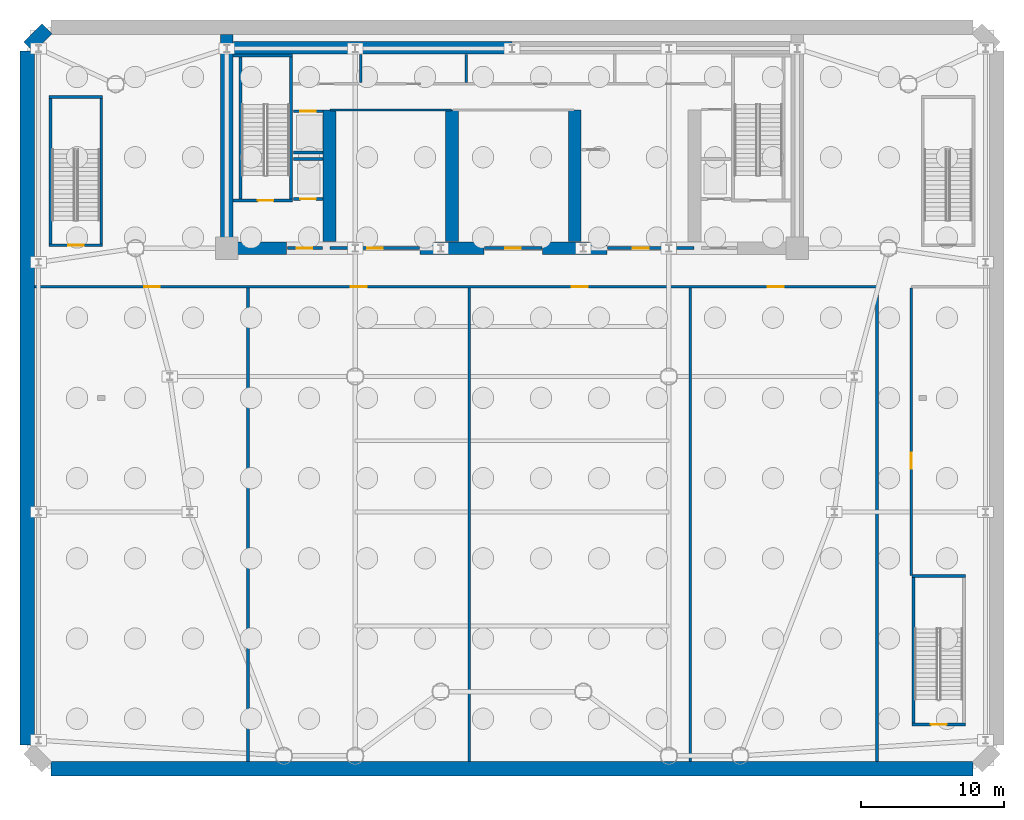
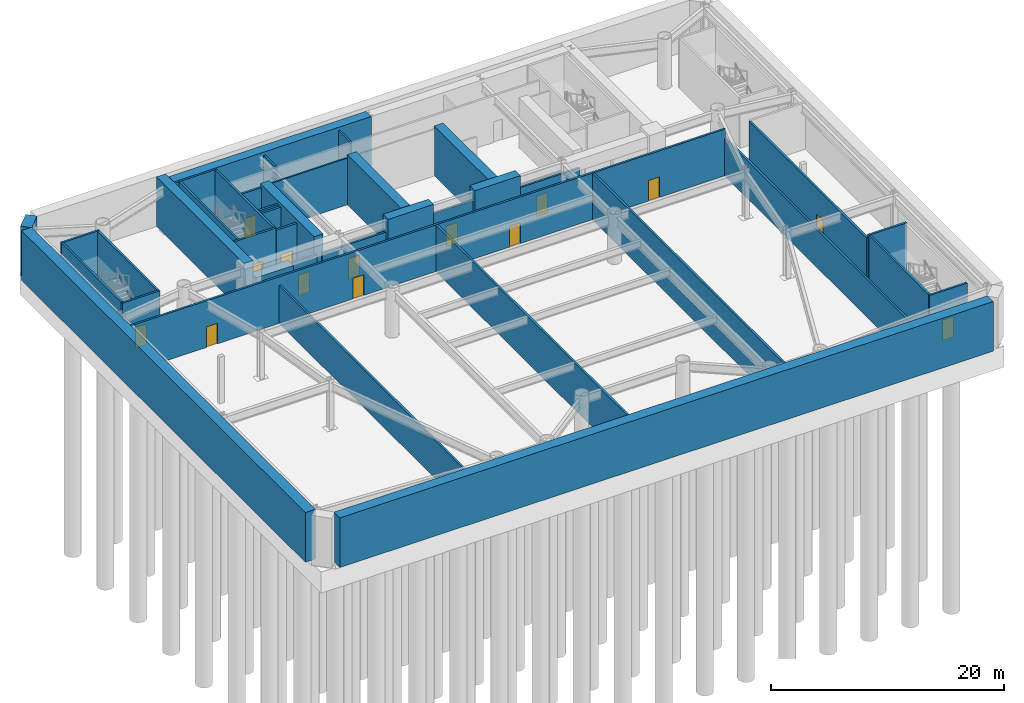
# One storey, part 3 of 11: 39 walls, 14 doors, 14 openings.
"""IFC4 building model written with IfcOpenShell, lengths in metres."""

from ifc_helpers import new_model, si_unit, direction, frame, frame_2d, origin, place, context, subcontext, project, spatial, rectangle, extrude, source, transform, mapped, material, layer, layer_set, type_object, element, fill, save


model = new_model("IFC4")

# Units and contexts
model_context = context("Model", 3, precision=1e-05, world=origin(), true_north=direction((0.0, 1.0)))
body_context = subcontext(model_context, "Body", "Model", "MODEL_VIEW")
ifc_project = project(units=[si_unit("LENGTHUNIT", "METRE"), si_unit("AREAUNIT", "SQUARE_METRE"), si_unit("VOLUMEUNIT", "CUBIC_METRE"), si_unit("PLANEANGLEUNIT", "RADIAN"), si_unit("MASSUNIT", "GRAM", prefix="KILO")], contexts=[model_context])

# Site, building, storey
site_placement = place(None, origin())
site = spatial("IfcSite", under=ifc_project, at=site_placement, CompositionType="ELEMENT")
building_placement = place(site_placement, origin())
building = spatial("IfcBuilding", under=site, at=building_placement, Name="Vaeldorn Concourse Tower", CompositionType="ELEMENT")
storey_placement = place(building_placement, frame((0.0, 0.0, -15.60009765625)))
storey = spatial("IfcBuildingStorey", under=building, at=storey_placement, Name="B03", CompositionType="ELEMENT", Elevation=-15.60009765625)

# Walls
ifc_material_1 = material(Name="Concrete C60/75", Category="concrete")
ifc_layer_1 = layer(ifc_material_1, 0.89990234375)
ifc_layer_set_1 = layer_set([ifc_layer_1], Name="Concrete C60/75")
wall_type_1 = type_object("IfcWallType", Name="WL-CORE-900", PredefinedType="SHEAR", material=ifc_layer_set_1)
wall_1_placement = place(storey_placement, frame((14.4541015625, 50.550048828125, 0.0), z_axis=(0.0, 0.0, 1.0), x_axis=(1.0, 0.0, 0.0)))
element("IfcWall", 1, at=wall_1_placement, inside=storey, type_object=wall_type_1, Name="Rear Core Shear Wall B03 N1", PredefinedType="SHEAR", context=body_context, shape_type="SweptSolid", body=[
    extrude(rectangle(XDim=19.5439453125, YDim=0.89990234375, at=frame_2d((9.77197265625, 0.0))), origin(), (0.0, 0.0, 1.0), 5.2001953125),
])
wall_2_placement = place(storey_placement, frame((14.0, 36.5, 0.0), z_axis=(0.0, 0.0, 1.0), x_axis=(0.0, 1.0, 0.0)))
element("IfcWall", 2, at=wall_2_placement, inside=storey, type_object=wall_type_1, Name="Rear Core Shear Wall B03 W1", PredefinedType="SHEAR", context=body_context, shape_type="SweptSolid", body=[
    extrude(rectangle(XDim=15.0, YDim=0.89990234375, at=frame_2d((7.5, 0.0))), origin(), (0.0, 0.0, 1.0), 5.2001953125),
])
wall_3_placement = place(storey_placement, frame((14.469970703125, 36.5, 0.0), z_axis=(0.0, 0.0, 1.0), x_axis=(1.0, 0.0, 0.0)))
element("IfcWall", 3, at=wall_3_placement, inside=storey, type_object=wall_type_1, Name="Rear Core Shear Wall B03 S1", PredefinedType="SHEAR", context=body_context, shape_type="SweptSolid", body=[
    extrude(rectangle(XDim=3.72998046875, YDim=0.89990234375, at=frame_2d((1.864990234375, 0.0))), origin(), (0.0, 0.0, 1.0), 3.68017578125),
])
for number, where, z_axis, x_axis, name in (
    (4, (27.550048828125, 36.5, 0.0), (0.0, 0.0, 1.0), (1.0, 0.0, 0.0), "Rear Core Shear Wall B03 S2"),
    (5, (36.14990234375, 36.5, 0.0), (0.0, 0.0, 1.0), (1.0, 0.0, 0.0), "Rear Core Shear Wall B03 S3"),
):
    element("IfcWall", number, at=place(storey_placement, frame(where, z_axis=z_axis, x_axis=x_axis)), inside=storey, type_object=wall_type_1, Name=name, PredefinedType="SHEAR", context=body_context, shape_type="SweptSolid", body=[
        extrude(rectangle(XDim=4.5, YDim=0.89990234375, at=frame_2d((2.25, 0.0))), origin(), (0.0, 0.0, 1.0), 5.2001953125),
    ])
for number, where, z_axis, x_axis, name in (
    (6, (21.199951171875, 36.969970703125, 0.0), (0.0, 0.0, 1.0), (0.0, 1.0, 0.0), "Rear Core Shear Wall B03 M1"),
    (7, (29.800048828125, 36.969970703125, 0.0), (0.0, 0.0, 1.0), (0.0, 1.0, 0.0), "Rear Core Shear Wall B03 M2"),
    (8, (38.39990234375, 36.969970703125, 0.0), (0.0, 0.0, 1.0), (0.0, 1.0, 0.0), "Rear Core Shear Wall B03 M3"),
):
    element("IfcWall", number, at=place(storey_placement, frame(where, z_axis=z_axis, x_axis=x_axis)), inside=storey, type_object=wall_type_1, Name=name, PredefinedType="SHEAR", context=body_context, shape_type="SweptSolid", body=[
        extrude(rectangle(XDim=9.22998046875, YDim=0.89990234375, at=frame_2d((4.614990234375, 0.0))), origin(), (0.0, 0.0, 1.0), 5.2001953125),
    ])
ifc_material_2 = material(Name="Concrete C50/60", Category="concrete")
ifc_layer_2 = layer(ifc_material_2, 1.0)
ifc_layer_set_2 = layer_set([ifc_layer_2], Name="Concrete C50/60")
wall_type_2 = type_object("IfcWallType", Name="WL-DIAPH-1000", PredefinedType="STANDARD", material=ifc_layer_set_2)
wall_4_placement = place(storey_placement, frame((1.659912109375, 0.0, 0.0), z_axis=(0.0, 0.0, 1.0), x_axis=(1.0, 0.0, 0.0)))
element("IfcWall", 9, at=wall_4_placement, inside=storey, type_object=wall_type_2, Name="Substructure Diaphragm Wall B03-01", PredefinedType="STANDARD", context=body_context, shape_type="SweptSolid", body=[
    extrude(rectangle(XDim=64.68017578125, YDim=1.0, at=frame_2d((32.340087890625, 0.0))), origin(), (0.0, 0.0, 1.0), 5.2001953125),
])
wall_5_placement = place(storey_placement, frame((1.386962890625, 51.886962890625, 0.0), z_axis=(0.0, 0.0, 1.0), x_axis=(-0.707106781187, -0.707106781187, 0.0)))
element("IfcWall", 10, at=wall_5_placement, inside=storey, type_object=wall_type_2, Name="Substructure Diaphragm Wall B03-06", PredefinedType="STANDARD", context=body_context, shape_type="SweptSolid", body=[
    extrude(rectangle(XDim=1.801513671875, YDim=1.0, at=frame_2d((0.90087890625, 0.0))), origin(), (0.0, 0.0, 1.0), 5.2001953125),
])
wall_6_placement = place(storey_placement, frame((0.0, 50.340087890625, 0.0), z_axis=(0.0, 0.0, 1.0), x_axis=(0.0, -1.0, 0.0)))
element("IfcWall", 11, at=wall_6_placement, inside=storey, type_object=wall_type_2, Name="Substructure Diaphragm Wall B03-07", PredefinedType="STANDARD", context=body_context, shape_type="SweptSolid", body=[
    extrude(rectangle(XDim=48.68017578125, YDim=1.0, at=frame_2d((24.340087890625, 0.0))), origin(), (0.0, 0.0, 1.0), 5.2001953125),
])
ifc_material_3 = material(Name="Gypsum Board Partition", Category="gypsum")
ifc_layer_3 = layer(ifc_material_3, 0.14990234375)
ifc_layer_set_3 = layer_set([ifc_layer_3], Name="Gypsum Board Partition")
wall_type_3 = type_object("IfcWallType", Name="WL-PART-150", PredefinedType="PARTITIONING", material=ifc_layer_set_3)
wall_7_placement = place(storey_placement, frame((21.25, 46.199951171875, 0.0), z_axis=(0.0, 0.0, 1.0), x_axis=(1.0, 0.0, 0.0)))
element("IfcWall", 12, at=wall_7_placement, inside=storey, type_object=wall_type_3, Name="Interior Wall CW-B03-B1N", PredefinedType="PARTITIONING", context=body_context, shape_type="SweptSolid", body=[
    extrude(rectangle(XDim=8.5, YDim=0.14990234375, at=frame_2d((4.25, 0.0))), origin(), (0.0, 0.0, 1.0), 4.880126953125),
])
ifc_layer_4 = layer(ifc_material_3, 0.179931640625)
ifc_layer_set_4 = layer_set([ifc_layer_4], Name="Gypsum Board Partition")
wall_type_4 = type_object("IfcWallType", Name="WL-PLUMB-180", PredefinedType="PLUMBINGWALL", material=ifc_layer_set_4)
for number, where, z_axis, x_axis, name in (
    (13, (23.39990234375, 48.10009765625, 0.0), (0.0, 0.0, 1.0), (0.0, 1.0, 0.0), "Interior Wall CW-B03-NDIV1"),
    (14, (30.800048828125, 48.10009765625, 0.0), (0.0, 0.0, 1.0), (0.0, 1.0, 0.0), "Interior Wall CW-B03-NDIV2"),
):
    element("IfcWall", number, at=place(storey_placement, frame(where, z_axis=z_axis, x_axis=x_axis)), inside=storey, type_object=wall_type_4, Name=name, PredefinedType="PLUMBINGWALL", context=body_context, shape_type="SweptSolid", body=[
        extrude(rectangle(XDim=1.97998046875, YDim=0.179931640625, at=frame_2d((0.989990234375, 0.0))), origin(), (0.0, 0.0, 1.0), 4.880126953125),
    ])

# Wall, opening, door
ifc_layer_5 = layer(ifc_material_2, 0.199951171875)
ifc_layer_set_5 = layer_set([ifc_layer_5], Name="Concrete C50/60")
wall_type_5 = type_object("IfcWallType", Name="WL-SHAFT-200", PredefinedType="SOLIDWALL", material=ifc_layer_set_5)
wall_8_placement = place(storey_placement, frame((14.449951171875, 39.85009765625, 0.0), z_axis=(0.0, 0.0, 1.0), x_axis=(1.0, 0.0, 0.0)))
wall_8 = element("IfcWall", 15, at=wall_8_placement, inside=storey, type_object=wall_type_5, Name="Stair Shaft Wall CW-B03-ST-1-S", PredefinedType="SOLIDWALL", context=body_context, shape_type="SweptSolid", body=[
    extrude(rectangle(XDim=4.150146484375, YDim=0.199951171875, at=frame_2d((2.0751953125, 0.0))), origin(), (0.0, 0.0, 1.0), 5.2001953125),
])
opening_1_placement = place(wall_8_placement, frame((1.72509765625, 0.0, 0.0)))
opening_1 = element("IfcOpeningElement", 16, at=opening_1_placement, cuts=wall_8, Name="Opening D-01", PredefinedType="OPENING", context=body_context, shape_type="SweptSolid", body=[
    extrude(rectangle(XDim=1.10009765625, YDim=2.14990234375, at=frame_2d((0.550048828125, 1.074951171875))), frame((0.0, 0.10986328125, 0.0), z_axis=(0.0, -1.0, 0.0), x_axis=(1.0, 0.0, 0.0)), (0.0, 0.0, 1.0), 0.219970703125),
])
ifc_material_4 = material(Name="Fire-Rated Timber and Steel Leaf", Category="steel")
door_type_1 = type_object("IfcDoorType", Name="DR-FD60-1100", OperationType="NOTDEFINED", PredefinedType="DOOR", material=ifc_material_4)
shared_shape = source(origin(), body_context, "Body", "SweptSolid", [
    extrude(rectangle(XDim=1.10009765625, YDim=2.14990234375, at=frame_2d((0.550048828125, 1.074951171875))), frame((0.0, 0.02490234375, 0.0), z_axis=(0.0, -1.0, 0.0), x_axis=(1.0, 0.0, 0.0)), (0.0, 0.0, 1.0), 0.050048828125),
])
door_1_placement = place(opening_1_placement, origin())
door_1 = element("IfcDoor", 17, at=door_1_placement, inside=storey, type_object=door_type_1, Name="Interior Door DR-B03-ST-1", OperationType="SINGLE_SWING_LEFT", OverallHeight=2.14990234375, OverallWidth=1.10009765625, PredefinedType="DOOR", context=body_context, shape_type="MappedRepresentation", body=[
    mapped(shared_shape, transform((0.0, 0.0, 0.0), scale=1.0)),
])
fill(opening_1, door_1)

# Walls
wall_9_placement = place(storey_placement, frame((14.449951171875, 50.0, 0.0), z_axis=(0.0, 0.0, 1.0), x_axis=(1.0, 0.0, 0.0)))
element("IfcWall", 18, at=wall_9_placement, inside=storey, type_object=wall_type_5, Name="Stair Shaft Wall CW-B03-ST-1-N", PredefinedType="SOLIDWALL", context=body_context, shape_type="SweptSolid", body=[
    extrude(rectangle(XDim=4.150146484375, YDim=0.199951171875, at=frame_2d((2.0751953125, 0.0))), origin(), (0.0, 0.0, 1.0), 5.2001953125),
])
for number, where, z_axis, x_axis, name in (
    (19, (14.949951171875, 39.9599609375, 0.0), (0.0, 0.0, 1.0), (0.0, 1.0, 0.0), "Stair Shaft Wall CW-B03-ST-1-W"),
    (20, (18.5, 39.9599609375, 0.0), (0.0, 0.0, 1.0), (0.0, 1.0, 0.0), "Stair Shaft Wall CW-B03-ST-1-E"),
):
    element("IfcWall", number, at=place(storey_placement, frame(where, z_axis=z_axis, x_axis=x_axis)), inside=storey, type_object=wall_type_5, Name=name, PredefinedType="SOLIDWALL", context=body_context, shape_type="SweptSolid", body=[
        extrude(rectangle(XDim=9.929931640625, YDim=0.199951171875, at=frame_2d((4.96484375, 0.0))), origin(), (0.0, 0.0, 1.0), 5.2001953125),
    ])

# Wall, opening, door
wall_10_placement = place(storey_placement, frame((18.25, 36.5, 0.0), z_axis=(0.0, 0.0, 1.0), x_axis=(1.0, 0.0, 0.0)))
wall_10 = element("IfcWall", 21, at=wall_10_placement, inside=storey, type_object=wall_type_5, Name="Interior Wall CW-B03-FF1S", PredefinedType="SOLIDWALL", context=body_context, shape_type="SweptSolid", body=[
    extrude(rectangle(XDim=2.469970703125, YDim=0.199951171875, at=frame_2d((1.23486328125, 0.0))), origin(), (0.0, 0.0, 1.0), 3.670166015625),
])
opening_2_placement = place(wall_10_placement, frame((0.64990234375, 0.0, 0.0)))
opening_2 = element("IfcOpeningElement", 22, at=opening_2_placement, cuts=wall_10, Name="Opening D-01", PredefinedType="OPENING", context=body_context, shape_type="SweptSolid", body=[
    extrude(rectangle(XDim=1.10009765625, YDim=2.14990234375, at=frame_2d((0.550048828125, 1.074951171875))), frame((0.0, 0.10986328125, 0.0), z_axis=(0.0, -1.0, 0.0), x_axis=(1.0, 0.0, 0.0)), (0.0, 0.0, 1.0), 0.219970703125),
])
door_2_placement = place(opening_2_placement, origin())
door_2 = element("IfcDoor", 23, at=door_2_placement, inside=storey, type_object=door_type_1, Name="Interior Door DR-B03-FF1E", OperationType="SINGLE_SWING_RIGHT", OverallHeight=2.14990234375, OverallWidth=1.10009765625, PredefinedType="DOOR", context=body_context, shape_type="MappedRepresentation", body=[
    mapped(shared_shape, transform((0.0, 0.0, 0.0), scale=1.0)),
])
fill(opening_2, door_2)

wall_11_placement = place(storey_placement, frame((18.669921875, 46.10009765625, 0.0), z_axis=(0.0, 0.0, 1.0), x_axis=(1.0, 0.0, 0.0)))
wall_11 = element("IfcWall", 24, at=wall_11_placement, inside=storey, type_object=wall_type_5, Name="Interior Wall CW-B03-LF-LF-SV1", PredefinedType="SOLIDWALL", context=body_context, shape_type="SweptSolid", body=[
    extrude(rectangle(XDim=2.070068359375, YDim=0.199951171875, at=frame_2d((1.03515625, 0.0))), origin(), (0.0, 0.0, 1.0), 4.880126953125),
])
opening_3_placement = place(wall_11_placement, frame((0.485107421875, 0.0, 0.0)))
opening_3 = element("IfcOpeningElement", 25, at=opening_3_placement, cuts=wall_11, Name="Opening LD-1", PredefinedType="OPENING", context=body_context, shape_type="SweptSolid", body=[
    extrude(rectangle(XDim=1.10009765625, YDim=2.14990234375, at=frame_2d((0.550048828125, 1.074951171875))), frame((0.0, 0.10986328125, 0.0), z_axis=(0.0, -1.0, 0.0), x_axis=(1.0, 0.0, 0.0)), (0.0, 0.0, 1.0), 0.219970703125),
])
ifc_material_5 = material(Name="Anodised Bronze Aluminium", Category="aluminium")
door_type_2 = type_object("IfcDoorType", Name="DR-LIFT-SLIDE-1100", OperationType="DOUBLE_DOOR_SLIDING", PredefinedType="DOOR", material=ifc_material_5)
door_3_placement = place(opening_3_placement, origin())
door_3 = element("IfcDoor", 26, at=door_3_placement, inside=storey, type_object=door_type_2, Name="Lift Landing Door LD-B03-LF-SV1", OperationType="DOUBLE_DOOR_SLIDING", OverallHeight=2.14990234375, OverallWidth=1.10009765625, PredefinedType="DOOR", context=body_context, shape_type="MappedRepresentation", body=[
    mapped(shared_shape, transform((0.0, 0.0, 0.0), scale=1.0)),
])
fill(opening_3, door_3)

# Wall
wall_12_placement = place(storey_placement, frame((18.669921875, 43.199951171875, 0.0), z_axis=(0.0, 0.0, 1.0), x_axis=(1.0, 0.0, 0.0)))
element("IfcWall", 27, at=wall_12_placement, inside=storey, type_object=wall_type_5, Name="Interior Wall CW-B03-LFB-LF-SV1", PredefinedType="SOLIDWALL", context=body_context, shape_type="SweptSolid", body=[
    extrude(rectangle(XDim=2.070068359375, YDim=0.199951171875, at=frame_2d((1.03515625, 0.0))), origin(), (0.0, 0.0, 1.0), 4.880126953125),
])

# Wall, opening, door
wall_13_placement = place(storey_placement, frame((18.669921875, 39.949951171875, 0.0), z_axis=(0.0, 0.0, 1.0), x_axis=(1.0, 0.0, 0.0)))
wall_13 = element("IfcWall", 28, at=wall_13_placement, inside=storey, type_object=wall_type_5, Name="Interior Wall CW-B03-LF-LF-FF1", PredefinedType="SOLIDWALL", context=body_context, shape_type="SweptSolid", body=[
    extrude(rectangle(XDim=2.070068359375, YDim=0.199951171875, at=frame_2d((1.03515625, 0.0))), origin(), (0.0, 0.0, 1.0), 4.880126953125),
])
opening_4_placement = place(wall_13_placement, frame((0.485107421875, 0.0, 0.0)))
opening_4 = element("IfcOpeningElement", 29, at=opening_4_placement, cuts=wall_13, Name="Opening LD-1", PredefinedType="OPENING", context=body_context, shape_type="SweptSolid", body=[
    extrude(rectangle(XDim=1.10009765625, YDim=2.14990234375, at=frame_2d((0.550048828125, 1.074951171875))), frame((0.0, 0.10986328125, 0.0), z_axis=(0.0, -1.0, 0.0), x_axis=(1.0, 0.0, 0.0)), (0.0, 0.0, 1.0), 0.219970703125),
])
door_4_placement = place(opening_4_placement, origin())
door_4 = element("IfcDoor", 30, at=door_4_placement, inside=storey, type_object=door_type_2, Name="Lift Landing Door LD-B03-LF-FF1", OperationType="DOUBLE_DOOR_SLIDING", OverallHeight=2.14990234375, OverallWidth=1.10009765625, PredefinedType="DOOR", context=body_context, shape_type="MappedRepresentation", body=[
    mapped(shared_shape, transform((0.0, 0.0, 0.0), scale=1.0)),
])
fill(opening_4, door_4)

# Wall
wall_14_placement = place(storey_placement, frame((18.669921875, 42.75, 0.0), z_axis=(0.0, 0.0, 1.0), x_axis=(1.0, 0.0, 0.0)))
element("IfcWall", 31, at=wall_14_placement, inside=storey, type_object=wall_type_5, Name="Interior Wall CW-B03-LFB-LF-FF1", PredefinedType="SOLIDWALL", context=body_context, shape_type="SweptSolid", body=[
    extrude(rectangle(XDim=2.070068359375, YDim=0.199951171875, at=frame_2d((1.03515625, 0.0))), origin(), (0.0, 0.0, 1.0), 4.880126953125),
])

# Wall, opening, door
wall_15_placement = place(storey_placement, frame((21.25, 36.5, 0.0), z_axis=(0.0, 0.0, 1.0), x_axis=(1.0, 0.0, 0.0)))
wall_15 = element("IfcWall", 32, at=wall_15_placement, inside=storey, type_object=wall_type_5, Name="Interior Wall CW-B03-B1CL", PredefinedType="SOLIDWALL", context=body_context, shape_type="SweptSolid", body=[
    extrude(rectangle(XDim=6.27001953125, YDim=0.199951171875, at=frame_2d((3.135009765625, 0.0))), origin(), (0.0, 0.0, 1.0), 3.670166015625),
])
opening_5_placement = place(wall_15_placement, frame((2.60009765625, 0.0, 0.0)))
opening_5 = element("IfcOpeningElement", 33, at=opening_5_placement, cuts=wall_15, Name="Opening D-01", PredefinedType="OPENING", context=body_context, shape_type="SweptSolid", body=[
    extrude(rectangle(XDim=1.10009765625, YDim=2.14990234375, at=frame_2d((0.550048828125, 1.074951171875))), frame((0.0, 0.10986328125, 0.0), z_axis=(0.0, -1.0, 0.0), x_axis=(1.0, 0.0, 0.0)), (0.0, 0.0, 1.0), 0.219970703125),
])
door_5_placement = place(opening_5_placement, origin())
door_5 = element("IfcDoor", 34, at=door_5_placement, inside=storey, type_object=door_type_1, Name="Interior Door DR-B03-B1CL", OperationType="SINGLE_SWING_LEFT", OverallHeight=2.14990234375, OverallWidth=1.10009765625, PredefinedType="DOOR", context=body_context, shape_type="MappedRepresentation", body=[
    mapped(shared_shape, transform((0.0, 0.0, 0.0), scale=1.0)),
])
fill(opening_5, door_5)

wall_16_placement = place(storey_placement, frame((32.080078125, 36.5, 0.0), z_axis=(0.0, 0.0, 1.0), x_axis=(1.0, 0.0, 0.0)))
wall_16 = element("IfcWall", 35, at=wall_16_placement, inside=storey, type_object=wall_type_5, Name="Interior Wall CW-B03-B2CL", PredefinedType="SOLIDWALL", context=body_context, shape_type="SweptSolid", body=[
    extrude(rectangle(XDim=4.0400390625, YDim=0.199951171875, at=frame_2d((2.02001953125, 0.0))), origin(), (0.0, 0.0, 1.0), 3.960205078125),
])
opening_6_placement = place(wall_16_placement, frame((1.449951171875, 0.0, 0.0)))
opening_6 = element("IfcOpeningElement", 36, at=opening_6_placement, cuts=wall_16, Name="Opening D-01", PredefinedType="OPENING", context=body_context, shape_type="SweptSolid", body=[
    extrude(rectangle(XDim=1.10009765625, YDim=2.14990234375, at=frame_2d((0.550048828125, 1.074951171875))), frame((0.0, 0.10986328125, 0.0), z_axis=(0.0, -1.0, 0.0), x_axis=(1.0, 0.0, 0.0)), (0.0, 0.0, 1.0), 0.219970703125),
])
door_6_placement = place(opening_6_placement, origin())
door_6 = element("IfcDoor", 37, at=door_6_placement, inside=storey, type_object=door_type_1, Name="Interior Door DR-B03-B2CL", OperationType="SINGLE_SWING_RIGHT", OverallHeight=2.14990234375, OverallWidth=1.10009765625, PredefinedType="DOOR", context=body_context, shape_type="MappedRepresentation", body=[
    mapped(shared_shape, transform((0.0, 0.0, 0.0), scale=1.0)),
])
fill(opening_6, door_6)

wall_17_placement = place(storey_placement, frame((40.679931640625, 36.5, 0.0), z_axis=(0.0, 0.0, 1.0), x_axis=(1.0, 0.0, 0.0)))
wall_17 = element("IfcWall", 38, at=wall_17_placement, inside=storey, type_object=wall_type_5, Name="Interior Wall CW-B03-B3CL", PredefinedType="SOLIDWALL", context=body_context, shape_type="SweptSolid", body=[
    extrude(rectangle(XDim=6.070068359375, YDim=0.199951171875, at=frame_2d((3.03515625, 0.0))), origin(), (0.0, 0.0, 1.0), 3.670166015625),
])
opening_7_placement = place(wall_17_placement, frame((1.800048828125, 0.0, 0.0)))
opening_7 = element("IfcOpeningElement", 39, at=opening_7_placement, cuts=wall_17, Name="Opening D-01", PredefinedType="OPENING", context=body_context, shape_type="SweptSolid", body=[
    extrude(rectangle(XDim=1.10009765625, YDim=2.14990234375, at=frame_2d((0.550048828125, 1.074951171875))), frame((0.0, 0.10986328125, 0.0), z_axis=(0.0, -1.0, 0.0), x_axis=(1.0, 0.0, 0.0)), (0.0, 0.0, 1.0), 0.219970703125),
])
door_7_placement = place(opening_7_placement, origin())
door_7 = element("IfcDoor", 40, at=door_7_placement, inside=storey, type_object=door_type_1, Name="Interior Door DR-B03-B3CL", OperationType="SINGLE_SWING_LEFT", OverallHeight=2.14990234375, OverallWidth=1.10009765625, PredefinedType="DOOR", context=body_context, shape_type="MappedRepresentation", body=[
    mapped(shared_shape, transform((0.0, 0.0, 0.0), scale=1.0)),
])
fill(opening_7, door_7)

wall_18_placement = place(storey_placement, frame((1.550048828125, 36.699951171875, 0.0), z_axis=(0.0, 0.0, 1.0), x_axis=(1.0, 0.0, 0.0)))
wall_18 = element("IfcWall", 41, at=wall_18_placement, inside=storey, type_object=wall_type_5, Name="Stair Shaft Wall CW-B03-ST-3-S", PredefinedType="SOLIDWALL", context=body_context, shape_type="SweptSolid", body=[
    extrude(rectangle(XDim=3.75, YDim=0.199951171875, at=frame_2d((1.875, 0.0))), origin(), (0.0, 0.0, 1.0), 5.2001953125),
])
opening_8_placement = place(wall_18_placement, frame((1.324951171875, 0.0, 0.0)))
opening_8 = element("IfcOpeningElement", 42, at=opening_8_placement, cuts=wall_18, Name="Opening D-01", PredefinedType="OPENING", context=body_context, shape_type="SweptSolid", body=[
    extrude(rectangle(XDim=1.10009765625, YDim=2.14990234375, at=frame_2d((0.550048828125, 1.074951171875))), frame((0.0, 0.10986328125, 0.0), z_axis=(0.0, -1.0, 0.0), x_axis=(1.0, 0.0, 0.0)), (0.0, 0.0, 1.0), 0.219970703125),
])
door_8_placement = place(opening_8_placement, origin())
door_8 = element("IfcDoor", 43, at=door_8_placement, inside=storey, type_object=door_type_1, Name="Interior Door DR-B03-ST-3", OperationType="SINGLE_SWING_LEFT", OverallHeight=2.14990234375, OverallWidth=1.10009765625, PredefinedType="DOOR", context=body_context, shape_type="MappedRepresentation", body=[
    mapped(shared_shape, transform((0.0, 0.0, 0.0), scale=1.0)),
])
fill(opening_8, door_8)

# Walls
wall_19_placement = place(storey_placement, frame((1.550048828125, 47.10009765625, 0.0), z_axis=(0.0, 0.0, 1.0), x_axis=(1.0, 0.0, 0.0)))
element("IfcWall", 44, at=wall_19_placement, inside=storey, type_object=wall_type_5, Name="Stair Shaft Wall CW-B03-ST-3-N", PredefinedType="SOLIDWALL", context=body_context, shape_type="SweptSolid", body=[
    extrude(rectangle(XDim=3.75, YDim=0.199951171875, at=frame_2d((1.875, 0.0))), origin(), (0.0, 0.0, 1.0), 5.2001953125),
])
for number, where, z_axis, x_axis, name in (
    (45, (1.64990234375, 36.81005859375, 0.0), (0.0, 0.0, 1.0), (0.0, 1.0, 0.0), "Stair Shaft Wall CW-B03-ST-3-W"),
    (46, (5.199951171875, 36.81005859375, 0.0), (0.0, 0.0, 1.0), (0.0, 1.0, 0.0), "Stair Shaft Wall CW-B03-ST-3-E"),
):
    element("IfcWall", number, at=place(storey_placement, frame(where, z_axis=z_axis, x_axis=x_axis)), inside=storey, type_object=wall_type_5, Name=name, PredefinedType="SOLIDWALL", context=body_context, shape_type="SweptSolid", body=[
        extrude(rectangle(XDim=10.179931640625, YDim=0.199951171875, at=frame_2d((5.08984375, 0.0))), origin(), (0.0, 0.0, 1.0), 5.2001953125),
    ])

# Wall, opening, door
wall_20_placement = place(storey_placement, frame((62.050048828125, 3.10009765625, 0.0), z_axis=(0.0, 0.0, 1.0), x_axis=(1.0, 0.0, 0.0)))
wall_20 = element("IfcWall", 47, at=wall_20_placement, inside=storey, type_object=wall_type_5, Name="Stair Shaft Wall CW-B03-ST-5-S", PredefinedType="SOLIDWALL", context=body_context, shape_type="SweptSolid", body=[
    extrude(rectangle(XDim=3.75, YDim=0.199951171875, at=frame_2d((1.875, 0.0))), origin(), (0.0, 0.0, 1.0), 5.2001953125),
])
opening_9_placement = place(wall_20_placement, frame((1.324951171875, 0.0, 0.0)))
opening_9 = element("IfcOpeningElement", 48, at=opening_9_placement, cuts=wall_20, Name="Opening D-01", PredefinedType="OPENING", context=body_context, shape_type="SweptSolid", body=[
    extrude(rectangle(XDim=1.10009765625, YDim=2.14990234375, at=frame_2d((0.550048828125, 1.074951171875))), frame((0.0, 0.10986328125, 0.0), z_axis=(0.0, -1.0, 0.0), x_axis=(1.0, 0.0, 0.0)), (0.0, 0.0, 1.0), 0.219970703125),
])
door_9_placement = place(opening_9_placement, origin())
door_9 = element("IfcDoor", 49, at=door_9_placement, inside=storey, type_object=door_type_1, Name="Interior Door DR-B03-ST-5", OperationType="SINGLE_SWING_RIGHT", OverallHeight=2.14990234375, OverallWidth=1.10009765625, PredefinedType="DOOR", context=body_context, shape_type="MappedRepresentation", body=[
    mapped(shared_shape, transform((0.0, 0.0, 0.0), scale=1.0)),
])
fill(opening_9, door_9)

# Walls
wall_21_placement = place(storey_placement, frame((62.050048828125, 13.5, 0.0), z_axis=(0.0, 0.0, 1.0), x_axis=(1.0, 0.0, 0.0)))
element("IfcWall", 50, at=wall_21_placement, inside=storey, type_object=wall_type_5, Name="Stair Shaft Wall CW-B03-ST-5-N", PredefinedType="SOLIDWALL", context=body_context, shape_type="SweptSolid", body=[
    extrude(rectangle(XDim=3.75, YDim=0.199951171875, at=frame_2d((1.875, 0.0))), origin(), (0.0, 0.0, 1.0), 5.2001953125),
])
wall_22_placement = place(storey_placement, frame((62.14990234375, 3.2099609375, 0.0), z_axis=(0.0, 0.0, 1.0), x_axis=(0.0, 1.0, 0.0)))
element("IfcWall", 51, at=wall_22_placement, inside=storey, type_object=wall_type_5, Name="Stair Shaft Wall CW-B03-ST-5-W", PredefinedType="SOLIDWALL", context=body_context, shape_type="SweptSolid", body=[
    extrude(rectangle(XDim=10.179931640625, YDim=0.199951171875, at=frame_2d((5.08984375, 0.0))), origin(), (0.0, 0.0, 1.0), 5.2001953125),
])

# Wall, openings, doors
wall_23_placement = place(storey_placement, frame((0.52001953125, 33.800048828125, 0.0), z_axis=(0.0, 0.0, 1.0), x_axis=(1.0, 0.0, 0.0)))
wall_23 = element("IfcWall", 52, at=wall_23_placement, inside=storey, type_object=wall_type_5, Name="Interior Wall PW-B03-COR", PredefinedType="SOLIDWALL", context=body_context, shape_type="SweptSolid", body=[
    extrude(rectangle(XDim=59.080078125, YDim=0.199951171875, at=frame_2d((29.5400390625, 0.0))), origin(), (0.0, 0.0, 1.0), 4.880126953125),
])
opening_10_placement = place(wall_23_placement, frame((7.679931640625, 0.0, 0.0)))
opening_10 = element("IfcOpeningElement", 53, at=opening_10_placement, cuts=wall_23, Name="Opening D-01", PredefinedType="OPENING", context=body_context, shape_type="SweptSolid", body=[
    extrude(rectangle(XDim=1.10009765625, YDim=2.14990234375, at=frame_2d((0.550048828125, 1.074951171875))), frame((0.0, 0.10986328125, 0.0), z_axis=(0.0, -1.0, 0.0), x_axis=(1.0, 0.0, 0.0)), (0.0, 0.0, 1.0), 0.219970703125),
])
opening_11_placement = place(wall_23_placement, frame((22.179931640625, 0.0, 0.0)))
opening_11 = element("IfcOpeningElement", 54, at=opening_11_placement, cuts=wall_23, Name="Opening D-01", PredefinedType="OPENING", context=body_context, shape_type="SweptSolid", body=[
    extrude(rectangle(XDim=1.10009765625, YDim=2.14990234375, at=frame_2d((0.550048828125, 1.074951171875))), frame((0.0, 0.10986328125, 0.0), z_axis=(0.0, -1.0, 0.0), x_axis=(1.0, 0.0, 0.0)), (0.0, 0.0, 1.0), 0.219970703125),
])
opening_12_placement = place(wall_23_placement, frame((37.679931640625, 0.0, 0.0)))
opening_12 = element("IfcOpeningElement", 55, at=opening_12_placement, cuts=wall_23, Name="Opening D-01", PredefinedType="OPENING", context=body_context, shape_type="SweptSolid", body=[
    extrude(rectangle(XDim=1.10009765625, YDim=2.14990234375, at=frame_2d((0.550048828125, 1.074951171875))), frame((0.0, 0.10986328125, 0.0), z_axis=(0.0, -1.0, 0.0), x_axis=(1.0, 0.0, 0.0)), (0.0, 0.0, 1.0), 0.219970703125),
])
opening_13_placement = place(wall_23_placement, frame((51.429931640625, 0.0, 0.0)))
opening_13 = element("IfcOpeningElement", 56, at=opening_13_placement, cuts=wall_23, Name="Opening D-01", PredefinedType="OPENING", context=body_context, shape_type="SweptSolid", body=[
    extrude(rectangle(XDim=1.10009765625, YDim=2.14990234375, at=frame_2d((0.550048828125, 1.074951171875))), frame((0.0, 0.10986328125, 0.0), z_axis=(0.0, -1.0, 0.0), x_axis=(1.0, 0.0, 0.0)), (0.0, 0.0, 1.0), 0.219970703125),
])
door_10_placement = place(opening_10_placement, origin())
door_10 = element("IfcDoor", 57, at=door_10_placement, inside=storey, type_object=door_type_1, Name="Interior Door DR-B03-BM1", OperationType="SINGLE_SWING_LEFT", OverallHeight=2.14990234375, OverallWidth=1.10009765625, PredefinedType="DOOR", context=body_context, shape_type="MappedRepresentation", body=[
    mapped(shared_shape, transform((0.0, 0.0, 0.0), scale=1.0)),
])
fill(opening_10, door_10)
door_11_placement = place(opening_11_placement, origin())
door_11 = element("IfcDoor", 58, at=door_11_placement, inside=storey, type_object=door_type_1, Name="Interior Door DR-B03-BM2", OperationType="SINGLE_SWING_RIGHT", OverallHeight=2.14990234375, OverallWidth=1.10009765625, PredefinedType="DOOR", context=body_context, shape_type="MappedRepresentation", body=[
    mapped(shared_shape, transform((0.0, 0.0, 0.0), scale=1.0)),
])
fill(opening_11, door_11)
door_12_placement = place(opening_12_placement, origin())
door_12 = element("IfcDoor", 59, at=door_12_placement, inside=storey, type_object=door_type_1, Name="Interior Door DR-B03-BM3", OperationType="SINGLE_SWING_LEFT", OverallHeight=2.14990234375, OverallWidth=1.10009765625, PredefinedType="DOOR", context=body_context, shape_type="MappedRepresentation", body=[
    mapped(shared_shape, transform((0.0, 0.0, 0.0), scale=1.0)),
])
fill(opening_12, door_12)
door_13_placement = place(opening_13_placement, origin())
door_13 = element("IfcDoor", 60, at=door_13_placement, inside=storey, type_object=door_type_1, Name="Interior Door DR-B03-BM4", OperationType="SINGLE_SWING_RIGHT", OverallHeight=2.14990234375, OverallWidth=1.10009765625, PredefinedType="DOOR", context=body_context, shape_type="MappedRepresentation", body=[
    mapped(shared_shape, transform((0.0, 0.0, 0.0), scale=1.0)),
])
fill(opening_13, door_13)

# Wall
wall_24_placement = place(storey_placement, frame((59.60009765625, 0.52001953125, 0.0), z_axis=(0.0, 0.0, 1.0), x_axis=(0.0, 1.0, 0.0)))
element("IfcWall", 61, at=wall_24_placement, inside=storey, type_object=wall_type_5, Name="Interior Wall PW-B03-BSPW", PredefinedType="SOLIDWALL", context=body_context, shape_type="SweptSolid", body=[
    extrude(rectangle(XDim=33.179931640625, YDim=0.199951171875, at=frame_2d((16.58984375, 0.0))), origin(), (0.0, 0.0, 1.0), 3.960205078125),
])

# Wall, opening, door
wall_25_placement = place(storey_placement, frame((62.0, 13.550048828125, 0.0), z_axis=(0.0, 0.0, 1.0), x_axis=(0.0, 1.0, 0.0)))
wall_25 = element("IfcWall", 62, at=wall_25_placement, inside=storey, type_object=wall_type_5, Name="Interior Wall PW-B03-BSPE", PredefinedType="SOLIDWALL", context=body_context, shape_type="SweptSolid", body=[
    extrude(rectangle(XDim=20.14990234375, YDim=0.199951171875, at=frame_2d((10.074951171875, 0.0))), origin(), (0.0, 0.0, 1.0), 4.880126953125),
])
opening_14_placement = place(wall_25_placement, frame((7.5, 0.0, 0.0)))
opening_14 = element("IfcOpeningElement", 63, at=opening_14_placement, cuts=wall_25, Name="Opening D-01", PredefinedType="OPENING", context=body_context, shape_type="SweptSolid", body=[
    extrude(rectangle(XDim=1.10009765625, YDim=2.14990234375, at=frame_2d((0.550048828125, 1.074951171875))), frame((0.0, 0.10986328125, 0.0), z_axis=(0.0, -1.0, 0.0), x_axis=(1.0, 0.0, 0.0)), (0.0, 0.0, 1.0), 0.219970703125),
])
door_14_placement = place(opening_14_placement, origin())
door_14 = element("IfcDoor", 64, at=door_14_placement, inside=storey, type_object=door_type_1, Name="Interior Door DR-B03-BME", OperationType="SINGLE_SWING_RIGHT", OverallHeight=2.14990234375, OverallWidth=1.10009765625, PredefinedType="DOOR", context=body_context, shape_type="MappedRepresentation", body=[
    mapped(shared_shape, transform((0.0, 0.0, 0.0), scale=1.0)),
])
fill(opening_14, door_14)

# Walls
wall_26_placement = place(storey_placement, frame((15.5, 0.52001953125, 0.0), z_axis=(0.0, 0.0, 1.0), x_axis=(0.0, 1.0, 0.0)))
element("IfcWall", 65, at=wall_26_placement, inside=storey, type_object=wall_type_5, Name="Interior Wall PW-B03-B1", PredefinedType="SOLIDWALL", context=body_context, shape_type="SweptSolid", body=[
    extrude(rectangle(XDim=33.179931640625, YDim=0.199951171875, at=frame_2d((16.58984375, 0.0))), origin(), (0.0, 0.0, 1.0), 3.960205078125),
])
for number, where, z_axis, x_axis, name in (
    (66, (31.0, 0.52001953125, 0.0), (0.0, 0.0, 1.0), (0.0, 1.0, 0.0), "Interior Wall PW-B03-B2"),
    (67, (46.5, 0.52001953125, 0.0), (0.0, 0.0, 1.0), (0.0, 1.0, 0.0), "Interior Wall PW-B03-B3"),
):
    element("IfcWall", number, at=place(storey_placement, frame(where, z_axis=z_axis, x_axis=x_axis)), inside=storey, type_object=wall_type_5, Name=name, PredefinedType="SOLIDWALL", context=body_context, shape_type="SweptSolid", body=[
        extrude(rectangle(XDim=33.179931640625, YDim=0.199951171875, at=frame_2d((16.58984375, 0.0))), origin(), (0.0, 0.0, 1.0), 4.880126953125),
    ])

save(model, "model.ifc")
